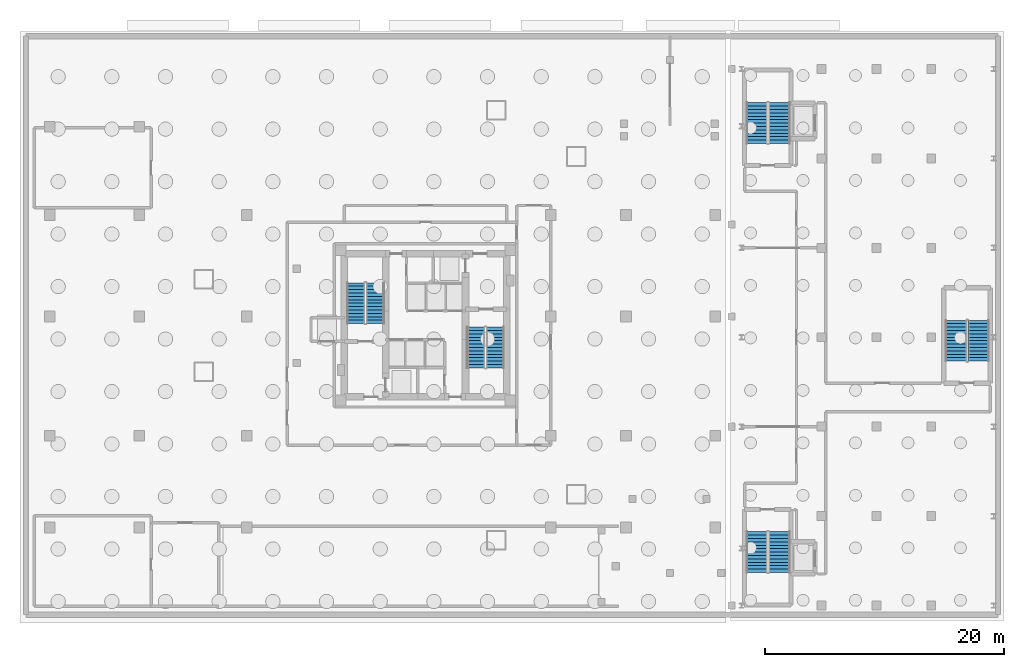
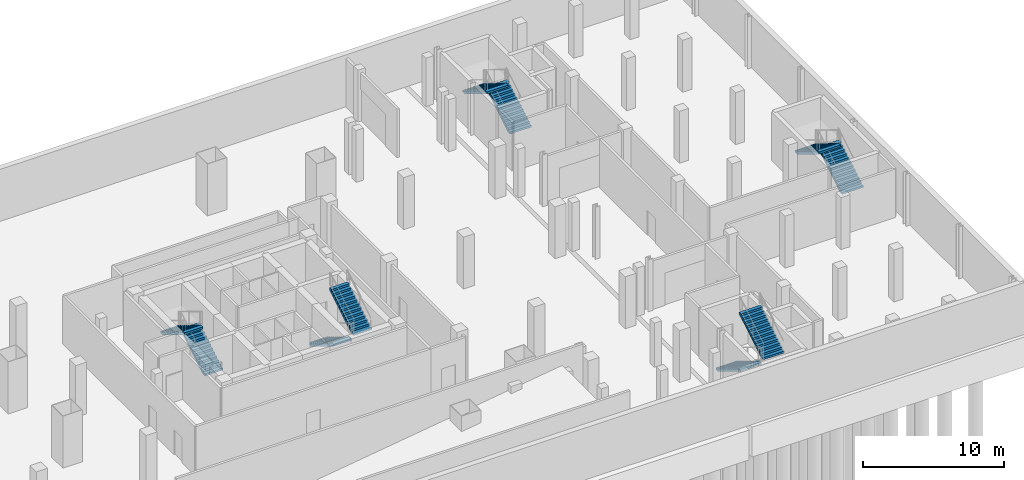
# One storey, part 12 of 15: 10 stair flights, 5 elements without a shape of their own.
"""IFC4 building model written with IfcOpenShell, lengths in metres."""

from ifc_helpers import new_model, si_unit, direction, frame, origin, place, context, subcontext, project, spatial, polyline, outline, extrude, material, type_object, element, aggregate, save


model = new_model("IFC4")

# Units and contexts
model_context = context("Model", 3, precision=1e-05, world=origin(), true_north=direction((0.0, 1.0)))
body_context = subcontext(model_context, "Body", "Model", "MODEL_VIEW")
ifc_project = project(units=[si_unit("LENGTHUNIT", "METRE"), si_unit("AREAUNIT", "SQUARE_METRE"), si_unit("VOLUMEUNIT", "CUBIC_METRE"), si_unit("PLANEANGLEUNIT", "RADIAN"), si_unit("MASSUNIT", "GRAM", prefix="KILO")], contexts=[model_context])

# Site, building, storey
site_placement = place(None, origin())
site = spatial("IfcSite", under=ifc_project, at=site_placement, CompositionType="ELEMENT")
building_placement = place(site_placement, origin())
building = spatial("IfcBuilding", under=site, at=building_placement, Name="Mersakhor Tower and Convention Hall", CompositionType="ELEMENT")
storey_placement = place(building_placement, frame((0.0, 0.0, -9.0)))
storey = spatial("IfcBuildingStorey", under=building, at=storey_placement, Name="B02", CompositionType="ELEMENT", Elevation=-9.0)

# Stair, stair flights
ifc_material_1 = material(Name="Concrete C45/55", Category="concrete")
stair_type_1 = type_object("IfcStairType", Name="ST-CNV-26R", PredefinedType="HALF_TURN_STAIR", material=ifc_material_1)
stair_1_placement = place(storey_placement, origin())
stair_1 = element("IfcStair", 1, at=stair_1_placement, inside=storey, type_object=stair_type_1, Name="B02 Convention Hall Exit Stair CH-ST1", PredefinedType="HALF_TURN_STAIR")
ifc_material_2 = material(Name="Concrete C45/55", Category="concrete")
stair_flight_type_1 = type_object("IfcStairFlightType", Name="SFL-CNV-26R", PredefinedType="STRAIGHT", material=ifc_material_2)
stair_flight_1_placement = place(storey_placement, frame((56.77490234375, 9.449951171875, 0.0), z_axis=(0.0, 0.0, 1.0), x_axis=(0.0, -1.0, 0.0)))
stair_flight_1 = element("IfcStairFlight", 2, at=stair_flight_1_placement, type_object=stair_flight_type_1, Name="CH-ST1 flight 1", NumberOfRisers=13, NumberOfTreads=12, PredefinedType="STRAIGHT", RiserHeight=0.173076923, TreadLength=0.285, context=body_context, shape_type="SweptSolid", body=[
    extrude(outline(polyline([(0.0, 0.0), (0.0, 0.173095703125), (0.284912109375, 0.173095703125), (0.284912109375, 0.34619140625), (0.570068359375, 0.34619140625), (0.570068359375, 0.519287109375), (0.85498046875, 0.519287109375), (0.85498046875, 0.6923828125), (1.139892578125, 0.6923828125), (1.139892578125, 0.865478515625), (1.425048828125, 0.865478515625), (1.425048828125, 1.03857421875), (1.7099609375, 1.03857421875), (1.7099609375, 1.21142578125), (1.9951171875, 1.21142578125), (1.9951171875, 1.384521484375), (2.280029296875, 1.384521484375), (2.280029296875, 1.5576171875), (2.56494140625, 1.5576171875), (2.56494140625, 1.730712890625), (2.85009765625, 1.730712890625), (2.85009765625, 1.90380859375), (3.135009765625, 1.90380859375), (3.135009765625, 2.076904296875), (3.419921875, 2.076904296875), (3.419921875, 2.25), (3.419921875, 1.901611328125), (0.288818359375, 0.0), (0.0, 0.0)])), frame((0.0, 0.875, 0.0), z_axis=(0.0, -1.0, 0.0), x_axis=(1.0, 0.0, 0.0)), (0.0, 0.0, 1.0), 1.75),
])
stair_flight_2_placement = place(storey_placement, frame((58.675048828125, 6.030029296875, 2.25), z_axis=(0.0, 0.0, 1.0), x_axis=(0.0, 1.0, 0.0)))
stair_flight_2 = element("IfcStairFlight", 3, at=stair_flight_2_placement, type_object=stair_flight_type_1, Name="CH-ST1 flight 2", NumberOfRisers=13, NumberOfTreads=12, PredefinedType="STRAIGHT", RiserHeight=0.173076923, TreadLength=0.285, context=body_context, shape_type="SweptSolid", body=[
    extrude(outline(polyline([(0.0, 0.0), (0.0, 0.173095703125), (0.284912109375, 0.173095703125), (0.284912109375, 0.34619140625), (0.570068359375, 0.34619140625), (0.570068359375, 0.519287109375), (0.85498046875, 0.519287109375), (0.85498046875, 0.6923828125), (1.139892578125, 0.6923828125), (1.139892578125, 0.865478515625), (1.425048828125, 0.865478515625), (1.425048828125, 1.03857421875), (1.7099609375, 1.03857421875), (1.7099609375, 1.21142578125), (1.9951171875, 1.21142578125), (1.9951171875, 1.384521484375), (2.280029296875, 1.384521484375), (2.280029296875, 1.5576171875), (2.56494140625, 1.5576171875), (2.56494140625, 1.730712890625), (2.85009765625, 1.730712890625), (2.85009765625, 1.90380859375), (3.135009765625, 1.90380859375), (3.135009765625, 2.076904296875), (3.419921875, 2.076904296875), (3.419921875, 2.25), (3.419921875, 1.901611328125), (0.288818359375, 0.0), (0.0, 0.0)])), frame((0.0, 0.875, 0.0), z_axis=(0.0, -1.0, 0.0), x_axis=(1.0, 0.0, 0.0)), (0.0, 0.0, 1.0), 1.75),
])
aggregate(stair_1, [stair_flight_1, stair_flight_2])

stair_2_placement = place(storey_placement, origin())
stair_2 = element("IfcStair", 4, at=stair_2_placement, inside=storey, type_object=stair_type_1, Name="B02 Convention Hall Exit Stair CH-ST2", PredefinedType="HALF_TURN_STAIR")
stair_flight_3_placement = place(storey_placement, frame((58.675048828125, 42.0, 0.0), z_axis=(0.0, 0.0, 1.0), x_axis=(0.0, 1.0, 0.0)))
stair_flight_3 = element("IfcStairFlight", 5, at=stair_flight_3_placement, type_object=stair_flight_type_1, Name="CH-ST2 flight 1", NumberOfRisers=13, NumberOfTreads=12, PredefinedType="STRAIGHT", RiserHeight=0.173076923, TreadLength=0.285, context=body_context, shape_type="SweptSolid", body=[
    extrude(outline(polyline([(0.0, 0.0), (0.0, 0.173095703125), (0.284912109375, 0.173095703125), (0.284912109375, 0.34619140625), (0.570068359375, 0.34619140625), (0.570068359375, 0.519287109375), (0.85498046875, 0.519287109375), (0.85498046875, 0.6923828125), (1.139892578125, 0.6923828125), (1.139892578125, 0.865478515625), (1.425048828125, 0.865478515625), (1.425048828125, 1.03857421875), (1.7099609375, 1.03857421875), (1.7099609375, 1.21142578125), (1.9951171875, 1.21142578125), (1.9951171875, 1.384521484375), (2.280029296875, 1.384521484375), (2.280029296875, 1.5576171875), (2.56494140625, 1.5576171875), (2.56494140625, 1.730712890625), (2.85009765625, 1.730712890625), (2.85009765625, 1.90380859375), (3.135009765625, 1.90380859375), (3.135009765625, 2.076904296875), (3.419921875, 2.076904296875), (3.419921875, 2.25), (3.419921875, 1.901611328125), (0.288818359375, 0.0), (0.0, 0.0)])), frame((0.0, 0.875, 0.0), z_axis=(0.0, -1.0, 0.0), x_axis=(1.0, 0.0, 0.0)), (0.0, 0.0, 1.0), 1.75),
])
stair_flight_4_placement = place(storey_placement, frame((56.77490234375, 45.419921875, 2.25), z_axis=(0.0, 0.0, 1.0), x_axis=(0.0, -1.0, 0.0)))
stair_flight_4 = element("IfcStairFlight", 6, at=stair_flight_4_placement, type_object=stair_flight_type_1, Name="CH-ST2 flight 2", NumberOfRisers=13, NumberOfTreads=12, PredefinedType="STRAIGHT", RiserHeight=0.173076923, TreadLength=0.285, context=body_context, shape_type="SweptSolid", body=[
    extrude(outline(polyline([(0.0, 0.0), (0.0, 0.173095703125), (0.284912109375, 0.173095703125), (0.284912109375, 0.34619140625), (0.570068359375, 0.34619140625), (0.570068359375, 0.519287109375), (0.85498046875, 0.519287109375), (0.85498046875, 0.6923828125), (1.139892578125, 0.6923828125), (1.139892578125, 0.865478515625), (1.425048828125, 0.865478515625), (1.425048828125, 1.03857421875), (1.7099609375, 1.03857421875), (1.7099609375, 1.21142578125), (1.9951171875, 1.21142578125), (1.9951171875, 1.384521484375), (2.280029296875, 1.384521484375), (2.280029296875, 1.5576171875), (2.56494140625, 1.5576171875), (2.56494140625, 1.730712890625), (2.85009765625, 1.730712890625), (2.85009765625, 1.90380859375), (3.135009765625, 1.90380859375), (3.135009765625, 2.076904296875), (3.419921875, 2.076904296875), (3.419921875, 2.25), (3.419921875, 1.901611328125), (0.288818359375, 0.0), (0.0, 0.0)])), frame((0.0, 0.875, 0.0), z_axis=(0.0, -1.0, 0.0), x_axis=(1.0, 0.0, 0.0)), (0.0, 0.0, 1.0), 1.75),
])
aggregate(stair_2, [stair_flight_3, stair_flight_4])

stair_3_placement = place(storey_placement, origin())
stair_3 = element("IfcStair", 7, at=stair_3_placement, inside=storey, type_object=stair_type_1, Name="B02 Convention Hall Exit Stair CH-ST3", PredefinedType="HALF_TURN_STAIR")
stair_flight_5_placement = place(storey_placement, frame((75.375, 23.75, 0.0), z_axis=(0.0, 0.0, 1.0), x_axis=(0.0, 1.0, 0.0)))
stair_flight_5 = element("IfcStairFlight", 8, at=stair_flight_5_placement, type_object=stair_flight_type_1, Name="CH-ST3 flight 1", NumberOfRisers=13, NumberOfTreads=12, PredefinedType="STRAIGHT", RiserHeight=0.173076923, TreadLength=0.285, context=body_context, shape_type="SweptSolid", body=[
    extrude(outline(polyline([(0.0, 0.0), (0.0, 0.173095703125), (0.284912109375, 0.173095703125), (0.284912109375, 0.34619140625), (0.570068359375, 0.34619140625), (0.570068359375, 0.519287109375), (0.85498046875, 0.519287109375), (0.85498046875, 0.6923828125), (1.139892578125, 0.6923828125), (1.139892578125, 0.865478515625), (1.425048828125, 0.865478515625), (1.425048828125, 1.03857421875), (1.7099609375, 1.03857421875), (1.7099609375, 1.21142578125), (1.9951171875, 1.21142578125), (1.9951171875, 1.384521484375), (2.280029296875, 1.384521484375), (2.280029296875, 1.5576171875), (2.56494140625, 1.5576171875), (2.56494140625, 1.730712890625), (2.85009765625, 1.730712890625), (2.85009765625, 1.90380859375), (3.135009765625, 1.90380859375), (3.135009765625, 2.076904296875), (3.419921875, 2.076904296875), (3.419921875, 2.25), (3.419921875, 1.901611328125), (0.288818359375, 0.0), (0.0, 0.0)])), frame((0.0, 0.875, 0.0), z_axis=(0.0, -1.0, 0.0), x_axis=(1.0, 0.0, 0.0)), (0.0, 0.0, 1.0), 1.75),
])
stair_flight_6_placement = place(storey_placement, frame((73.47509765625, 27.169921875, 2.25), z_axis=(0.0, 0.0, 1.0), x_axis=(0.0, -1.0, 0.0)))
stair_flight_6 = element("IfcStairFlight", 9, at=stair_flight_6_placement, type_object=stair_flight_type_1, Name="CH-ST3 flight 2", NumberOfRisers=13, NumberOfTreads=12, PredefinedType="STRAIGHT", RiserHeight=0.173076923, TreadLength=0.285, context=body_context, shape_type="SweptSolid", body=[
    extrude(outline(polyline([(0.0, 0.0), (0.0, 0.173095703125), (0.284912109375, 0.173095703125), (0.284912109375, 0.34619140625), (0.570068359375, 0.34619140625), (0.570068359375, 0.519287109375), (0.85498046875, 0.519287109375), (0.85498046875, 0.6923828125), (1.139892578125, 0.6923828125), (1.139892578125, 0.865478515625), (1.425048828125, 0.865478515625), (1.425048828125, 1.03857421875), (1.7099609375, 1.03857421875), (1.7099609375, 1.21142578125), (1.9951171875, 1.21142578125), (1.9951171875, 1.384521484375), (2.280029296875, 1.384521484375), (2.280029296875, 1.5576171875), (2.56494140625, 1.5576171875), (2.56494140625, 1.730712890625), (2.85009765625, 1.730712890625), (2.85009765625, 1.90380859375), (3.135009765625, 1.90380859375), (3.135009765625, 2.076904296875), (3.419921875, 2.076904296875), (3.419921875, 2.25), (3.419921875, 1.901611328125), (0.288818359375, 0.0), (0.0, 0.0)])), frame((0.0, 0.875, 0.0), z_axis=(0.0, -1.0, 0.0), x_axis=(1.0, 0.0, 0.0)), (0.0, 0.0, 1.0), 1.75),
])
aggregate(stair_3, [stair_flight_5, stair_flight_6])

ifc_material_3 = material(Name="Concrete C45/55", Category="concrete")
stair_type_2 = type_object("IfcStairType", Name="ST-TWR-26R", PredefinedType="HALF_TURN_STAIR", material=ifc_material_3)
stair_4_placement = place(storey_placement, origin())
stair_4 = element("IfcStair", 10, at=stair_4_placement, inside=storey, type_object=stair_type_2, Name="B02 Tower Protected Exit Stair ST-1", PredefinedType="HALF_TURN_STAIR")
ifc_material_4 = material(Name="Concrete C45/55", Category="concrete")
stair_flight_type_2 = type_object("IfcStairFlightType", Name="SFL-TWR-26R", PredefinedType="STRAIGHT", material=ifc_material_4)
stair_flight_7_placement = place(storey_placement, frame((24.800048828125, 26.89990234375, 0.0), z_axis=(0.0, 0.0, 1.0), x_axis=(0.0, 1.0, 0.0)))
stair_flight_7 = element("IfcStairFlight", 11, at=stair_flight_7_placement, type_object=stair_flight_type_2, Name="ST-1 flight 1", NumberOfRisers=13, NumberOfTreads=12, PredefinedType="STRAIGHT", RiserHeight=0.173076923, TreadLength=0.285, context=body_context, shape_type="SweptSolid", body=[
    extrude(outline(polyline([(0.0, 0.0), (0.0, 0.173095703125), (0.284912109375, 0.173095703125), (0.284912109375, 0.34619140625), (0.570068359375, 0.34619140625), (0.570068359375, 0.519287109375), (0.85498046875, 0.519287109375), (0.85498046875, 0.6923828125), (1.139892578125, 0.6923828125), (1.139892578125, 0.865478515625), (1.425048828125, 0.865478515625), (1.425048828125, 1.03857421875), (1.7099609375, 1.03857421875), (1.7099609375, 1.21142578125), (1.9951171875, 1.21142578125), (1.9951171875, 1.384521484375), (2.280029296875, 1.384521484375), (2.280029296875, 1.5576171875), (2.56494140625, 1.5576171875), (2.56494140625, 1.730712890625), (2.85009765625, 1.730712890625), (2.85009765625, 1.90380859375), (3.135009765625, 1.90380859375), (3.135009765625, 2.076904296875), (3.419921875, 2.076904296875), (3.419921875, 2.25), (3.419921875, 1.901611328125), (0.288818359375, 0.0), (0.0, 0.0)])), frame((0.0, 0.75, 0.0), z_axis=(0.0, -1.0, 0.0), x_axis=(1.0, 0.0, 0.0)), (0.0, 0.0, 1.0), 1.5),
])
stair_flight_8_placement = place(storey_placement, frame((23.14990234375, 30.320068359375, 2.25), z_axis=(0.0, 0.0, 1.0), x_axis=(0.0, -1.0, 0.0)))
stair_flight_8 = element("IfcStairFlight", 12, at=stair_flight_8_placement, type_object=stair_flight_type_2, Name="ST-1 flight 2", NumberOfRisers=13, NumberOfTreads=12, PredefinedType="STRAIGHT", RiserHeight=0.173076923, TreadLength=0.285, context=body_context, shape_type="SweptSolid", body=[
    extrude(outline(polyline([(0.0, 0.0), (0.0, 0.173095703125), (0.284912109375, 0.173095703125), (0.284912109375, 0.34619140625), (0.570068359375, 0.34619140625), (0.570068359375, 0.519287109375), (0.85498046875, 0.519287109375), (0.85498046875, 0.6923828125), (1.139892578125, 0.6923828125), (1.139892578125, 0.865478515625), (1.425048828125, 0.865478515625), (1.425048828125, 1.03857421875), (1.7099609375, 1.03857421875), (1.7099609375, 1.21142578125), (1.9951171875, 1.21142578125), (1.9951171875, 1.384521484375), (2.280029296875, 1.384521484375), (2.280029296875, 1.5576171875), (2.56494140625, 1.5576171875), (2.56494140625, 1.730712890625), (2.85009765625, 1.730712890625), (2.85009765625, 1.90380859375), (3.135009765625, 1.90380859375), (3.135009765625, 2.076904296875), (3.419921875, 2.076904296875), (3.419921875, 2.25), (3.419921875, 1.901611328125), (0.288818359375, 0.0), (0.0, 0.0)])), frame((0.0, 0.75, 0.0), z_axis=(0.0, -1.0, 0.0), x_axis=(1.0, 0.0, 0.0)), (0.0, 0.0, 1.0), 1.5),
])
aggregate(stair_4, [stair_flight_7, stair_flight_8])

stair_5_placement = place(storey_placement, origin())
stair_5 = element("IfcStair", 13, at=stair_5_placement, inside=storey, type_object=stair_type_2, Name="B02 Tower Protected Exit Stair ST-2", PredefinedType="HALF_TURN_STAIR")
stair_flight_9_placement = place(storey_placement, frame((33.199951171875, 26.60009765625, 0.0), z_axis=(0.0, 0.0, 1.0), x_axis=(0.0, -1.0, 0.0)))
stair_flight_9 = element("IfcStairFlight", 14, at=stair_flight_9_placement, type_object=stair_flight_type_2, Name="ST-2 flight 1", NumberOfRisers=13, NumberOfTreads=12, PredefinedType="STRAIGHT", RiserHeight=0.173076923, TreadLength=0.285, context=body_context, shape_type="SweptSolid", body=[
    extrude(outline(polyline([(0.0, 0.0), (0.0, 0.173095703125), (0.284912109375, 0.173095703125), (0.284912109375, 0.34619140625), (0.570068359375, 0.34619140625), (0.570068359375, 0.519287109375), (0.85498046875, 0.519287109375), (0.85498046875, 0.6923828125), (1.139892578125, 0.6923828125), (1.139892578125, 0.865478515625), (1.425048828125, 0.865478515625), (1.425048828125, 1.03857421875), (1.7099609375, 1.03857421875), (1.7099609375, 1.21142578125), (1.9951171875, 1.21142578125), (1.9951171875, 1.384521484375), (2.280029296875, 1.384521484375), (2.280029296875, 1.5576171875), (2.56494140625, 1.5576171875), (2.56494140625, 1.730712890625), (2.85009765625, 1.730712890625), (2.85009765625, 1.90380859375), (3.135009765625, 1.90380859375), (3.135009765625, 2.076904296875), (3.419921875, 2.076904296875), (3.419921875, 2.25), (3.419921875, 1.901611328125), (0.288818359375, 0.0), (0.0, 0.0)])), frame((0.0, 0.75, 0.0), z_axis=(0.0, -1.0, 0.0), x_axis=(1.0, 0.0, 0.0)), (0.0, 0.0, 1.0), 1.5),
])
stair_flight_10_placement = place(storey_placement, frame((34.85009765625, 23.179931640625, 2.25), z_axis=(0.0, 0.0, 1.0), x_axis=(0.0, 1.0, 0.0)))
stair_flight_10 = element("IfcStairFlight", 15, at=stair_flight_10_placement, type_object=stair_flight_type_2, Name="ST-2 flight 2", NumberOfRisers=13, NumberOfTreads=12, PredefinedType="STRAIGHT", RiserHeight=0.173076923, TreadLength=0.285, context=body_context, shape_type="SweptSolid", body=[
    extrude(outline(polyline([(0.0, 0.0), (0.0, 0.173095703125), (0.284912109375, 0.173095703125), (0.284912109375, 0.34619140625), (0.570068359375, 0.34619140625), (0.570068359375, 0.519287109375), (0.85498046875, 0.519287109375), (0.85498046875, 0.6923828125), (1.139892578125, 0.6923828125), (1.139892578125, 0.865478515625), (1.425048828125, 0.865478515625), (1.425048828125, 1.03857421875), (1.7099609375, 1.03857421875), (1.7099609375, 1.21142578125), (1.9951171875, 1.21142578125), (1.9951171875, 1.384521484375), (2.280029296875, 1.384521484375), (2.280029296875, 1.5576171875), (2.56494140625, 1.5576171875), (2.56494140625, 1.730712890625), (2.85009765625, 1.730712890625), (2.85009765625, 1.90380859375), (3.135009765625, 1.90380859375), (3.135009765625, 2.076904296875), (3.419921875, 2.076904296875), (3.419921875, 2.25), (3.419921875, 1.901611328125), (0.288818359375, 0.0), (0.0, 0.0)])), frame((0.0, 0.75, 0.0), z_axis=(0.0, -1.0, 0.0), x_axis=(1.0, 0.0, 0.0)), (0.0, 0.0, 1.0), 1.5),
])
aggregate(stair_5, [stair_flight_9, stair_flight_10])

save(model, "model.ifc")
